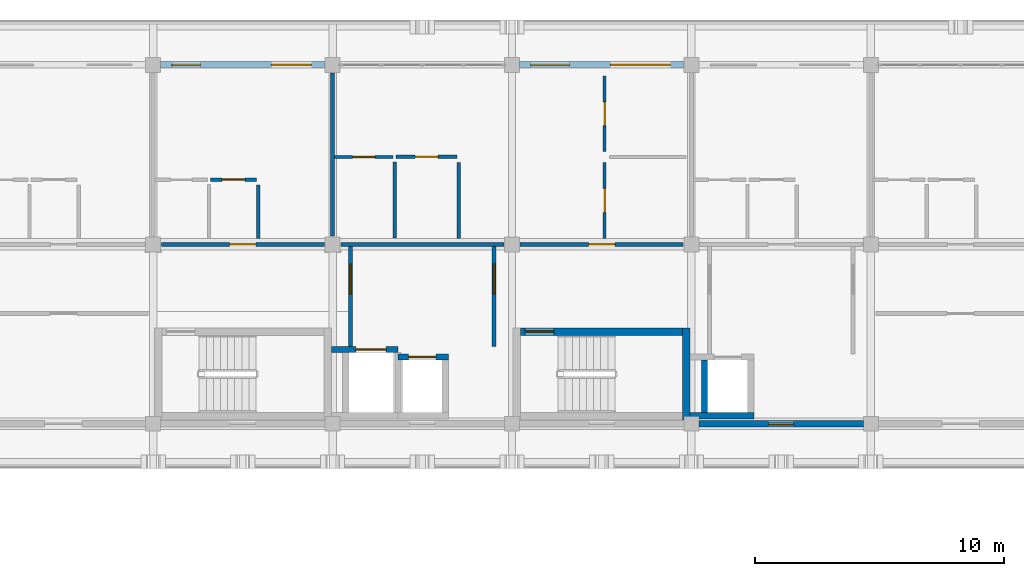
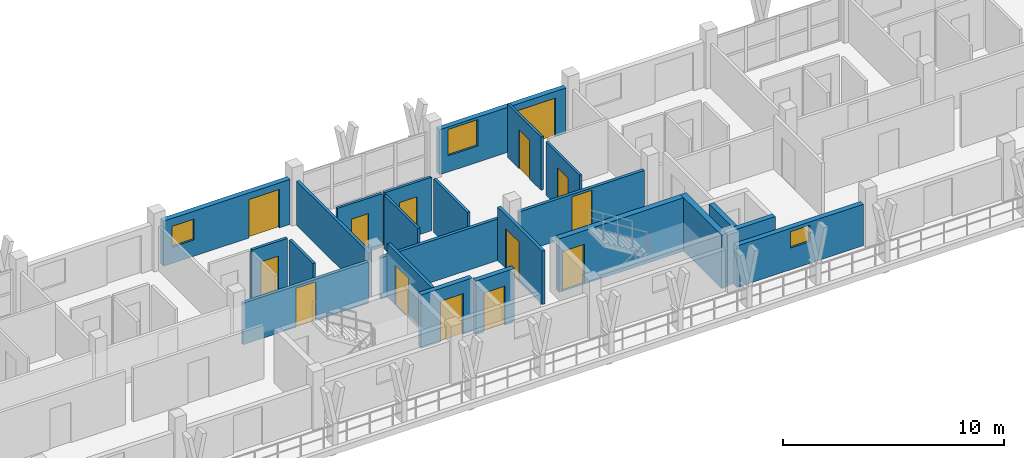
# One storey, part 40 of 65: 23 walls, 14 doors, 3 windows, 17 openings.
"""IFC4 building model written with IfcOpenShell, lengths in metres."""

from ifc_helpers import new_model, si_unit, direction, frame, frame_2d, origin, place, context, subcontext, project, spatial, rectangle, extrude, material, layer, layer_set, type_object, element, fill, save


model = new_model("IFC4")

# Units and contexts
model_context = context("Model", 3, precision=1e-05, world=origin(), true_north=direction((0.0, 1.0)))
body_context = subcontext(model_context, "Body", "Model", "MODEL_VIEW")
ifc_project = project(units=[si_unit("LENGTHUNIT", "METRE"), si_unit("AREAUNIT", "SQUARE_METRE"), si_unit("VOLUMEUNIT", "CUBIC_METRE"), si_unit("PLANEANGLEUNIT", "RADIAN"), si_unit("MASSUNIT", "GRAM", prefix="KILO")], contexts=[model_context])

# Site, building, storey
site_placement = place(None, origin())
site = spatial("IfcSite", under=ifc_project, at=site_placement, CompositionType="ELEMENT")
building_placement = place(site_placement, origin())
building = spatial("IfcBuilding", under=site, at=building_placement, Name="Suanplinth Sawtooth Commons", CompositionType="ELEMENT")
storey_placement = place(building_placement, frame((0.0, 0.0, 28.300048828125)))
storey = spatial("IfcBuildingStorey", under=building, at=storey_placement, Name="L08", CompositionType="ELEMENT", Elevation=28.300048828125)

# Wall, opening, door
ifc_material_1 = material(Name="Concrete C40/50", Category="concrete")
ifc_layer_1 = layer(ifc_material_1, 0.300048828125, Name="Standard RC stair and lift core wall 300mm")
ifc_layer_set_1 = layer_set([ifc_layer_1], Name="Concrete C40/50")
wall_type_1 = type_object("IfcWallType", Name="W-CR02", PredefinedType="SHEAR", material=ifc_layer_set_1)
wall_1_placement = place(storey_placement, frame((57.949951171875, 111.699951171875, 0.0), z_axis=(0.0, 0.0, 1.0), x_axis=(1.0, 0.0, 0.0)))
wall_1 = element("IfcWall", 1, at=wall_1_placement, inside=storey, type_object=wall_type_1, Name="W-L08-C-A2-STN", PredefinedType="SHEAR", context=body_context, shape_type="SweptSolid", body=[
    extrude(rectangle(XDim=6.5, YDim=0.300048828125, at=frame_2d((3.25, 0.0))), origin(), (0.0, 0.0, 1.0), 2.949951171875),
])
opening_1_placement = place(wall_1_placement, frame((0.179931640625, 0.0, 0.0)))
opening_1 = element("IfcOpeningElement", 2, at=opening_1_placement, cuts=wall_1, Name="Opening FD0122", PredefinedType="OPENING", context=body_context, shape_type="SweptSolid", body=[
    extrude(rectangle(XDim=1.14990234375, YDim=2.199951171875, at=frame_2d((0.574951171875, 1.10009765625))), frame((0.0, 0.1650390625, 0.0), z_axis=(0.0, -1.0, 0.0), x_axis=(1.0, 0.0, 0.0)), (0.0, 0.0, 1.0), 0.329833984375),
])
ifc_material_2 = material(Name="Teak hardwood fire-rated door assembly", Category="wood")
door_type_1 = type_object("IfcDoorType", Name="FD-01", OperationType="NOTDEFINED", PredefinedType="DOOR", material=ifc_material_2)
door_1_placement = place(opening_1_placement, frame((1.14990234375, 0.0, 0.0), z_axis=(0.0, 0.0, 1.0), x_axis=(-1.0, 0.0, 0.0)))
door_1 = element("IfcDoor", 3, at=door_1_placement, inside=storey, type_object=door_type_1, Name="Exit Stair Fire Door FD0122", OperationType="SINGLE_SWING_RIGHT", OverallHeight=2.199951171875, OverallWidth=1.14990234375, PredefinedType="DOOR", context=body_context, shape_type="SweptSolid", body=[
    extrude(rectangle(XDim=1.14990234375, YDim=2.199951171875, at=frame_2d((0.574951171875, 1.10009765625))), frame((0.0, 0.02490234375, 0.0), z_axis=(0.0, -1.0, 0.0), x_axis=(1.0, 0.0, 0.0)), (0.0, 0.0, 1.0), 0.050048828125),
])
fill(opening_1, door_1)

# Wall
wall_2_placement = place(storey_placement, frame((64.60009765625, 108.14990234375, 0.0), z_axis=(0.0, 0.0, 1.0), x_axis=(0.0, 1.0, 0.0)))
element("IfcWall", 4, at=wall_2_placement, inside=storey, type_object=wall_type_1, Name="W-L08-C-A2-STE", PredefinedType="SHEAR", context=body_context, shape_type="SweptSolid", body=[
    extrude(rectangle(XDim=3.7001953125, YDim=0.300048828125, at=frame_2d((1.85009765625, 0.0))), origin(), (0.0, 0.0, 1.0), 2.949951171875),
])

# Wall, openings, door, window
ifc_material_3 = material(Name="Precast concrete C40/50", Category="concrete")
ifc_layer_2 = layer(ifc_material_3, 0.260009765625, Name="Insulated precast courtyard facade wall 260mm")
ifc_layer_set_2 = layer_set([ifc_layer_2], Name="Precast concrete C40/50")
wall_type_2 = type_object("IfcWallType", Name="W-EX02", PredefinedType="ELEMENTEDWALL", material=ifc_layer_set_2)
wall_3_placement = place(storey_placement, frame((43.5, 122.39990234375, 0.0), z_axis=(0.0, 0.0, 1.0), x_axis=(1.0, 0.0, 0.0)))
wall_3 = element("IfcWall", 5, at=wall_3_placement, inside=storey, type_object=wall_type_2, Name="Facade Wall W-L08-A-N-4", PredefinedType="ELEMENTEDWALL", context=body_context, shape_type="SweptSolid", body=[
    extrude(rectangle(XDim=6.60009765625, YDim=0.260009765625, at=frame_2d((3.300048828125, 0.0))), origin(), (0.0, 0.0, 1.0), 2.48486328125),
])
opening_2_placement = place(wall_3_placement, frame((4.449951171875, 0.0, 0.0)))
opening_2 = element("IfcOpeningElement", 6, at=opening_2_placement, cuts=wall_3, Name="Opening ED0630", PredefinedType="OPENING", context=body_context, shape_type="SweptSolid", body=[
    extrude(rectangle(XDim=1.60009765625, YDim=2.1201171875, at=frame_2d((0.800048828125, 1.06005859375))), frame((0.0, 0.14501953125, 0.0), z_axis=(0.0, -1.0, 0.0), x_axis=(1.0, 0.0, 0.0)), (0.0, 0.0, 1.0), 0.289794921875),
])
opening_3_placement = place(wall_3_placement, frame((0.449951171875, 0.0, 0.89990234375)))
opening_3 = element("IfcOpeningElement", 7, at=opening_3_placement, cuts=wall_3, Name="Opening W0709", PredefinedType="OPENING", context=body_context, shape_type="SweptSolid", body=[
    extrude(rectangle(XDim=1.14990234375, YDim=1.14990234375, at=frame_2d((0.574951171875, 0.574951171875))), frame((0.0, 0.14501953125, 0.0), z_axis=(0.0, -1.0, 0.0), x_axis=(1.0, 0.0, 0.0)), (0.0, 0.0, 1.0), 0.289794921875),
])
ifc_material_4 = material(Name="Anodized aluminium and low-E glass", Category="aluminium")
door_type_2 = type_object("IfcDoorType", Name="SD-02", OperationType="SLIDING_TO_RIGHT", PredefinedType="DOOR", material=ifc_material_4)
door_2_placement = place(opening_2_placement, frame((1.60009765625, 0.0, 0.0), z_axis=(0.0, 0.0, 1.0), x_axis=(-1.0, 0.0, 0.0)))
door_2 = element("IfcDoor", 8, at=door_2_placement, inside=storey, type_object=door_type_2, Name="Balcony Sliding Door L08-A-N-4", OperationType="SLIDING_TO_RIGHT", OverallHeight=2.1201171875, OverallWidth=1.60009765625, PredefinedType="DOOR", context=body_context, shape_type="SweptSolid", body=[
    extrude(rectangle(XDim=1.60009765625, YDim=2.1201171875, at=frame_2d((0.800048828125, 1.06005859375))), frame((0.0, 0.02490234375, 0.0), z_axis=(0.0, -1.0, 0.0), x_axis=(1.0, 0.0, 0.0)), (0.0, 0.0, 1.0), 0.050048828125),
])
fill(opening_2, door_2)
ifc_material_5 = material(Name="Thermally broken aluminium and low-E double glazing", Category="aluminium")
window_type_1 = type_object("IfcWindowType", Name="WN-20", PartitioningType="SINGLE_PANEL", PredefinedType="WINDOW", material=ifc_material_5)
window_1_placement = place(opening_3_placement, origin())
window_1 = element("IfcWindow", 9, at=window_1_placement, inside=storey, type_object=window_type_1, Name="Window L08-A-N-4", OverallHeight=1.14990234375, OverallWidth=1.14990234375, PartitioningType="SINGLE_PANEL", PredefinedType="WINDOW", context=body_context, shape_type="SweptSolid", body=[
    extrude(rectangle(XDim=1.14990234375, YDim=1.14990234375, at=frame_2d((0.574951171875, 0.574951171875))), frame((0.0, 0.030029296875, 0.0), z_axis=(0.0, -1.0, 0.0), x_axis=(1.0, 0.0, 0.0)), (0.0, 0.0, 1.0), 0.06005859375),
])
fill(opening_3, window_1)

wall_4_placement = place(storey_placement, frame((57.89990234375, 122.39990234375, 0.0), z_axis=(0.0, 0.0, 1.0), x_axis=(1.0, 0.0, 0.0)))
wall_4 = element("IfcWall", 10, at=wall_4_placement, inside=storey, type_object=wall_type_2, Name="Facade Wall W-L08-A-N-6", PredefinedType="ELEMENTEDWALL", context=body_context, shape_type="SweptSolid", body=[
    extrude(rectangle(XDim=6.60009765625, YDim=0.260009765625, at=frame_2d((3.300048828125, 0.0))), origin(), (0.0, 0.0, 1.0), 2.48486328125),
])
opening_4_placement = place(wall_4_placement, frame((3.64990234375, 0.0, 0.0)))
opening_4 = element("IfcOpeningElement", 11, at=opening_4_placement, cuts=wall_4, Name="Opening ED0631", PredefinedType="OPENING", context=body_context, shape_type="SweptSolid", body=[
    extrude(rectangle(XDim=2.39990234375, YDim=2.1201171875, at=frame_2d((1.199951171875, 1.06005859375))), frame((0.0, 0.14501953125, 0.0), z_axis=(0.0, -1.0, 0.0), x_axis=(1.0, 0.0, 0.0)), (0.0, 0.0, 1.0), 0.289794921875),
])
opening_5_placement = place(wall_4_placement, frame((0.449951171875, 0.0, 0.89990234375)))
opening_5 = element("IfcOpeningElement", 12, at=opening_5_placement, cuts=wall_4, Name="Opening W0712", PredefinedType="OPENING", context=body_context, shape_type="SweptSolid", body=[
    extrude(rectangle(XDim=1.550048828125, YDim=1.449951171875, at=frame_2d((0.77490234375, 0.72509765625))), frame((0.0, 0.14501953125, 0.0), z_axis=(0.0, -1.0, 0.0), x_axis=(1.0, 0.0, 0.0)), (0.0, 0.0, 1.0), 0.289794921875),
])
door_type_3 = type_object("IfcDoorType", Name="SD-04", OperationType="DOUBLE_DOOR_SLIDING", PredefinedType="DOOR", material=ifc_material_4)
door_3_placement = place(opening_4_placement, frame((2.39990234375, 0.0, 0.0), z_axis=(0.0, 0.0, 1.0), x_axis=(-1.0, 0.0, 0.0)))
door_3 = element("IfcDoor", 13, at=door_3_placement, inside=storey, type_object=door_type_3, Name="Balcony Sliding Door L08-A-N-6", OperationType="DOUBLE_DOOR_SLIDING", OverallHeight=2.1201171875, OverallWidth=2.39990234375, PredefinedType="DOOR", context=body_context, shape_type="SweptSolid", body=[
    extrude(rectangle(XDim=2.39990234375, YDim=2.1201171875, at=frame_2d((1.199951171875, 1.06005859375))), frame((0.0, 0.02490234375, 0.0), z_axis=(0.0, -1.0, 0.0), x_axis=(1.0, 0.0, 0.0)), (0.0, 0.0, 1.0), 0.050048828125),
])
fill(opening_4, door_3)
window_type_2 = type_object("IfcWindowType", Name="WN-22", PartitioningType="DOUBLE_PANEL_VERTICAL", PredefinedType="WINDOW", material=ifc_material_5)
window_2_placement = place(opening_5_placement, origin())
window_2 = element("IfcWindow", 14, at=window_2_placement, inside=storey, type_object=window_type_2, Name="Window L08-A-N-6", OverallHeight=1.449951171875, OverallWidth=1.550048828125, PartitioningType="DOUBLE_PANEL_VERTICAL", PredefinedType="WINDOW", context=body_context, shape_type="SweptSolid", body=[
    extrude(rectangle(XDim=1.550048828125, YDim=1.449951171875, at=frame_2d((0.77490234375, 0.72509765625))), frame((0.0, 0.030029296875, 0.0), z_axis=(0.0, -1.0, 0.0), x_axis=(1.0, 0.0, 0.0)), (0.0, 0.0, 1.0), 0.06005859375),
])
fill(opening_5, window_2)

# Wall, opening, window
wall_5_placement = place(storey_placement, frame((65.10009765625, 108.0, 0.0), z_axis=(0.0, 0.0, 1.0), x_axis=(1.0, 0.0, 0.0)))
wall_5 = element("IfcWall", 15, at=wall_5_placement, inside=storey, type_object=wall_type_2, Name="Courtyard Wall W-L08-A-S-7", PredefinedType="ELEMENTEDWALL", context=body_context, shape_type="SweptSolid", body=[
    extrude(rectangle(XDim=6.599853515625, YDim=0.260009765625, at=frame_2d((3.2998046875, 0.0))), origin(), (0.0, 0.0, 1.0), 2.284912109375),
])
opening_6_placement = place(wall_5_placement, frame((2.800048828125, 0.0, 1.199951171875)))
opening_6 = element("IfcOpeningElement", 16, at=opening_6_placement, cuts=wall_5, Name="Opening W0715", PredefinedType="OPENING", context=body_context, shape_type="SweptSolid", body=[
    extrude(rectangle(XDim=1.0, YDim=0.89990234375, at=frame_2d((0.5, 0.449951171875))), frame((0.0, 0.14501953125, 0.0), z_axis=(0.0, -1.0, 0.0), x_axis=(1.0, 0.0, 0.0)), (0.0, 0.0, 1.0), 0.289794921875),
])
window_type_3 = type_object("IfcWindowType", Name="WN-12", PartitioningType="SINGLE_PANEL", PredefinedType="WINDOW", material=ifc_material_5)
window_3_placement = place(opening_6_placement, origin())
window_3 = element("IfcWindow", 17, at=window_3_placement, inside=storey, type_object=window_type_3, Name="Core Daylight Window L08-A-7", OverallHeight=0.89990234375, OverallWidth=1.0, PartitioningType="SINGLE_PANEL", PredefinedType="WINDOW", context=body_context, shape_type="SweptSolid", body=[
    extrude(rectangle(XDim=1.0, YDim=0.89990234375, at=frame_2d((0.5, 0.449951171875))), frame((0.0, 0.030029296875, 0.0), z_axis=(0.0, -1.0, 0.0), x_axis=(1.0, 0.0, 0.0)), (0.0, 0.0, 1.0), 0.06005859375),
])
fill(opening_6, window_3)

# Wall, opening, door
ifc_layer_3 = layer(ifc_material_3, 0.159912109375, Name="Fire-rated corridor and lobby wall 160mm")
ifc_layer_set_3 = layer_set([ifc_layer_3], Name="Precast concrete C40/50")
wall_type_3 = type_object("IfcWallType", Name="W-FW01", PredefinedType="PARTITIONING", material=ifc_layer_set_3)
wall_6_placement = place(storey_placement, frame((51.1201171875, 111.10009765625, 0.0), z_axis=(0.0, 0.0, 1.0), x_axis=(0.0, 1.0, 0.0)))
wall_6 = element("IfcWall", 18, at=wall_6_placement, inside=storey, type_object=wall_type_3, Name="W-L08-C-A1-LOB-W", PredefinedType="PARTITIONING", context=body_context, shape_type="SweptSolid", body=[
    extrude(rectangle(XDim=4.02001953125, YDim=0.159912109375, at=frame_2d((2.010009765625, 0.0))), origin(), (0.0, 0.0, 1.0), 2.949951171875),
])
opening_7_placement = place(wall_6_placement, frame((2.10009765625, 0.0, 0.0)))
opening_7 = element("IfcOpeningElement", 19, at=opening_7_placement, cuts=wall_6, Name="Opening FD0047", PredefinedType="OPENING", context=body_context, shape_type="SweptSolid", body=[
    extrude(rectangle(XDim=1.199951171875, YDim=2.199951171875, at=frame_2d((0.60009765625, 1.10009765625))), frame((0.0, 0.0947265625, 0.0), z_axis=(0.0, -1.0, 0.0), x_axis=(1.0, 0.0, 0.0)), (0.0, 0.0, 1.0), 0.189697265625),
])
door_type_4 = type_object("IfcDoorType", Name="FD-02", OperationType="NOTDEFINED", PredefinedType="DOOR", material=ifc_material_2)
door_4_placement = place(opening_7_placement, origin())
door_4 = element("IfcDoor", 20, at=door_4_placement, inside=storey, type_object=door_type_4, Name="Lobby Fire Door FD0047", OperationType="SINGLE_SWING_RIGHT", OverallHeight=2.199951171875, OverallWidth=1.199951171875, PredefinedType="DOOR", context=body_context, shape_type="SweptSolid", body=[
    extrude(rectangle(XDim=1.199951171875, YDim=2.199951171875, at=frame_2d((0.60009765625, 1.10009765625))), frame((0.0, 0.02490234375, 0.0), z_axis=(0.0, -1.0, 0.0), x_axis=(1.0, 0.0, 0.0)), (0.0, 0.0, 1.0), 0.050048828125),
])
fill(opening_7, door_4)

wall_7_placement = place(storey_placement, frame((56.8798828125, 111.10009765625, 0.0), z_axis=(0.0, 0.0, 1.0), x_axis=(0.0, 1.0, 0.0)))
wall_7 = element("IfcWall", 21, at=wall_7_placement, inside=storey, type_object=wall_type_3, Name="W-L08-C-A1-LOB-E", PredefinedType="PARTITIONING", context=body_context, shape_type="SweptSolid", body=[
    extrude(rectangle(XDim=4.02001953125, YDim=0.159912109375, at=frame_2d((2.010009765625, 0.0))), origin(), (0.0, 0.0, 1.0), 2.949951171875),
])
opening_8_placement = place(wall_7_placement, frame((2.10009765625, 0.0, 0.0)))
opening_8 = element("IfcOpeningElement", 22, at=opening_8_placement, cuts=wall_7, Name="Opening FD0048", PredefinedType="OPENING", context=body_context, shape_type="SweptSolid", body=[
    extrude(rectangle(XDim=1.199951171875, YDim=2.199951171875, at=frame_2d((0.60009765625, 1.10009765625))), frame((0.0, 0.0947265625, 0.0), z_axis=(0.0, -1.0, 0.0), x_axis=(1.0, 0.0, 0.0)), (0.0, 0.0, 1.0), 0.189697265625),
])
door_5_placement = place(opening_8_placement, frame((1.199951171875, 0.0, 0.0), z_axis=(0.0, 0.0, 1.0), x_axis=(-1.0, 0.0, 0.0)))
door_5 = element("IfcDoor", 23, at=door_5_placement, inside=storey, type_object=door_type_4, Name="Lobby Fire Door FD0048", OperationType="SINGLE_SWING_LEFT", OverallHeight=2.199951171875, OverallWidth=1.199951171875, PredefinedType="DOOR", context=body_context, shape_type="SweptSolid", body=[
    extrude(rectangle(XDim=1.199951171875, YDim=2.199951171875, at=frame_2d((0.60009765625, 1.10009765625))), frame((0.0, 0.02490234375, 0.0), z_axis=(0.0, -1.0, 0.0), x_axis=(1.0, 0.0, 0.0)), (0.0, 0.0, 1.0), 0.050048828125),
])
fill(opening_8, door_5)

wall_8_placement = place(storey_placement, frame((43.530029296875, 115.199951171875, 0.0), z_axis=(0.0, 0.0, 1.0), x_axis=(1.0, 0.0, 0.0)))
wall_8 = element("IfcWall", 24, at=wall_8_placement, inside=storey, type_object=wall_type_3, Name="W-A-L08-U04-COR", PredefinedType="PARTITIONING", context=body_context, shape_type="SweptSolid", body=[
    extrude(rectangle(XDim=6.5400390625, YDim=0.159912109375, at=frame_2d((3.27001953125, 0.0))), origin(), (0.0, 0.0, 1.0), 2.284912109375),
])
opening_9_placement = place(wall_8_placement, frame((2.7451171875, 0.0, 0.0)))
opening_9 = element("IfcOpeningElement", 25, at=opening_9_placement, cuts=wall_8, Name="Opening FD1639", PredefinedType="OPENING", context=body_context, shape_type="SweptSolid", body=[
    extrude(rectangle(XDim=1.050048828125, YDim=2.14990234375, at=frame_2d((0.52490234375, 1.074951171875))), frame((0.0, 0.0947265625, 0.0), z_axis=(0.0, -1.0, 0.0), x_axis=(1.0, 0.0, 0.0)), (0.0, 0.0, 1.0), 0.189697265625),
])
door_type_5 = type_object("IfcDoorType", Name="FD-04", OperationType="NOTDEFINED", PredefinedType="DOOR", material=ifc_material_2)
door_6_placement = place(opening_9_placement, origin())
door_6 = element("IfcDoor", 26, at=door_6_placement, inside=storey, type_object=door_type_5, Name="Unit Entrance Door FD1639", OperationType="SINGLE_SWING_LEFT", OverallHeight=2.14990234375, OverallWidth=1.050048828125, PredefinedType="DOOR", context=body_context, shape_type="SweptSolid", body=[
    extrude(rectangle(XDim=1.050048828125, YDim=2.14990234375, at=frame_2d((0.52490234375, 1.074951171875))), frame((0.0, 0.02490234375, 0.0), z_axis=(0.0, -1.0, 0.0), x_axis=(1.0, 0.0, 0.0)), (0.0, 0.0, 1.0), 0.050048828125),
])
fill(opening_9, door_6)

# Wall
wall_9_placement = place(storey_placement, frame((50.72998046875, 115.199951171875, 0.0), z_axis=(0.0, 0.0, 1.0), x_axis=(1.0, 0.0, 0.0)))
element("IfcWall", 27, at=wall_9_placement, inside=storey, type_object=wall_type_3, Name="W-A-L08-U05-COR-S1", PredefinedType="PARTITIONING", context=body_context, shape_type="SweptSolid", body=[
    extrude(rectangle(XDim=6.5400390625, YDim=0.159912109375, at=frame_2d((3.27001953125, 0.0))), origin(), (0.0, 0.0, 1.0), 2.284912109375),
])

# Wall, opening, door
wall_10_placement = place(storey_placement, frame((57.929931640625, 115.199951171875, 0.0), z_axis=(0.0, 0.0, 1.0), x_axis=(1.0, 0.0, 0.0)))
wall_10 = element("IfcWall", 28, at=wall_10_placement, inside=storey, type_object=wall_type_3, Name="W-A-L08-U05-COR-S2", PredefinedType="PARTITIONING", context=body_context, shape_type="SweptSolid", body=[
    extrude(rectangle(XDim=6.5400390625, YDim=0.159912109375, at=frame_2d((3.27001953125, 0.0))), origin(), (0.0, 0.0, 1.0), 2.284912109375),
])
opening_10_placement = place(wall_10_placement, frame((2.7451171875, 0.0, 0.0)))
opening_10 = element("IfcOpeningElement", 29, at=opening_10_placement, cuts=wall_10, Name="Opening FD1642", PredefinedType="OPENING", context=body_context, shape_type="SweptSolid", body=[
    extrude(rectangle(XDim=1.050048828125, YDim=2.14990234375, at=frame_2d((0.52490234375, 1.074951171875))), frame((0.0, 0.0947265625, 0.0), z_axis=(0.0, -1.0, 0.0), x_axis=(1.0, 0.0, 0.0)), (0.0, 0.0, 1.0), 0.189697265625),
])
door_7_placement = place(opening_10_placement, origin())
door_7 = element("IfcDoor", 30, at=door_7_placement, inside=storey, type_object=door_type_5, Name="Unit Entrance Door FD1642", OperationType="SINGLE_SWING_RIGHT", OverallHeight=2.14990234375, OverallWidth=1.050048828125, PredefinedType="DOOR", context=body_context, shape_type="SweptSolid", body=[
    extrude(rectangle(XDim=1.050048828125, YDim=2.14990234375, at=frame_2d((0.52490234375, 1.074951171875))), frame((0.0, 0.02490234375, 0.0), z_axis=(0.0, -1.0, 0.0), x_axis=(1.0, 0.0, 0.0)), (0.0, 0.0, 1.0), 0.050048828125),
])
fill(opening_10, door_7)

# Wall
ifc_layer_4 = layer(ifc_material_3, 0.14990234375, Name="Acoustic precast party demising wall 150mm")
ifc_layer_set_4 = layer_set([ifc_layer_4], Name="Precast concrete C40/50")
wall_type_4 = type_object("IfcWallType", Name="W-FW02", PredefinedType="PARTITIONING", material=ifc_layer_set_4)
wall_11_placement = place(storey_placement, frame((50.39990234375, 115.530029296875, 0.0), z_axis=(0.0, 0.0, 1.0), x_axis=(0.0, 1.0, 0.0)))
element("IfcWall", 31, at=wall_11_placement, inside=storey, type_object=wall_type_4, Name="W-A-L08-U04-PTY", PredefinedType="PARTITIONING", context=body_context, shape_type="SweptSolid", body=[
    extrude(rectangle(XDim=6.5400390625, YDim=0.14990234375, at=frame_2d((3.27001953125, 0.0))), origin(), (0.0, 0.0, 1.0), 2.43505859375),
])

# Wall, opening, door
ifc_material_6 = material(Name="Gypsum plasterboard on steel stud", Category="steel")
ifc_layer_5 = layer(ifc_material_6, 0.139892578125, Name="Fire-rated kitchen partition 140mm")
ifc_layer_set_5 = layer_set([ifc_layer_5], Name="Gypsum plasterboard on steel stud")
wall_type_5 = type_object("IfcWallType", Name="W-PT01", PredefinedType="PARTITIONING", material=ifc_layer_set_5)
wall_12_placement = place(storey_placement, frame((45.5, 117.800048828125, 0.0), z_axis=(0.0, 0.0, 1.0), x_axis=(1.0, 0.0, 0.0)))
wall_12 = element("IfcWall", 32, at=wall_12_placement, inside=storey, type_object=wall_type_5, Name="W-A-L08-U04-KIT1", PredefinedType="PARTITIONING", context=body_context, shape_type="SweptSolid", body=[
    extrude(rectangle(XDim=1.85009765625, YDim=0.139892578125, at=frame_2d((0.925048828125, 0.0))), origin(), (0.0, 0.0, 1.0), 2.949951171875),
])
opening_11_placement = place(wall_12_placement, frame((0.4599609375, 0.0, 0.0)))
opening_11 = element("IfcOpeningElement", 33, at=opening_11_placement, cuts=wall_12, Name="Opening D1641", PredefinedType="OPENING", context=body_context, shape_type="SweptSolid", body=[
    extrude(rectangle(XDim=0.929931640625, YDim=2.139892578125, at=frame_2d((0.46484375, 1.06982421875))), frame((0.0, 0.0849609375, 0.0), z_axis=(0.0, -1.0, 0.0), x_axis=(1.0, 0.0, 0.0)), (0.0, 0.0, 1.0), 0.169677734375),
])
ifc_material_7 = material(Name="Teak hardwood", Category="wood")
door_type_6 = type_object("IfcDoorType", Name="D-19", OperationType="NOTDEFINED", PredefinedType="DOOR", material=ifc_material_7)
door_8_placement = place(opening_11_placement, frame((0.929931640625, 0.0, 0.0), z_axis=(0.0, 0.0, 1.0), x_axis=(-1.0, 0.0, 0.0)))
door_8 = element("IfcDoor", 34, at=door_8_placement, inside=storey, type_object=door_type_6, Name="Kitchen Door D1641", OperationType="SINGLE_SWING_LEFT", OverallHeight=2.139892578125, OverallWidth=0.929931640625, PredefinedType="DOOR", context=body_context, shape_type="SweptSolid", body=[
    extrude(rectangle(XDim=0.929931640625, YDim=2.139892578125, at=frame_2d((0.46484375, 1.06982421875))), frame((0.0, 0.02490234375, 0.0), z_axis=(0.0, -1.0, 0.0), x_axis=(1.0, 0.0, 0.0)), (0.0, 0.0, 1.0), 0.050048828125),
])
fill(opening_11, door_8)

# Wall
wall_13_placement = place(storey_placement, frame((47.419921875, 115.429931640625, 0.0), z_axis=(0.0, 0.0, 1.0), x_axis=(0.0, 1.0, 0.0)))
element("IfcWall", 35, at=wall_13_placement, inside=storey, type_object=wall_type_5, Name="W-A-L08-U04-KIT2", PredefinedType="PARTITIONING", context=body_context, shape_type="SweptSolid", body=[
    extrude(rectangle(XDim=2.150146484375, YDim=0.139892578125, at=frame_2d((1.0751953125, 0.0))), origin(), (0.0, 0.0, 1.0), 2.949951171875),
])

# Wall, opening, door
wall_14_placement = place(storey_placement, frame((52.949951171875, 118.7099609375, 0.0), z_axis=(0.0, 0.0, 1.0), x_axis=(1.0, 0.0, 0.0)))
wall_14 = element("IfcWall", 36, at=wall_14_placement, inside=storey, type_object=wall_type_5, Name="W-A-L08-U05-KIT1", PredefinedType="PARTITIONING", context=body_context, shape_type="SweptSolid", body=[
    extrude(rectangle(XDim=2.449951171875, YDim=0.139892578125, at=frame_2d((1.22509765625, 0.0))), origin(), (0.0, 0.0, 1.0), 2.949951171875),
])
opening_12_placement = place(wall_14_placement, frame((0.760009765625, 0.0, 0.0)))
opening_12 = element("IfcOpeningElement", 37, at=opening_12_placement, cuts=wall_14, Name="Opening D1644", PredefinedType="OPENING", context=body_context, shape_type="SweptSolid", body=[
    extrude(rectangle(XDim=0.929931640625, YDim=2.139892578125, at=frame_2d((0.46484375, 1.06982421875))), frame((0.0, 0.0849609375, 0.0), z_axis=(0.0, -1.0, 0.0), x_axis=(1.0, 0.0, 0.0)), (0.0, 0.0, 1.0), 0.169677734375),
])
door_9_placement = place(opening_12_placement, frame((0.929931640625, 0.0, 0.0), z_axis=(0.0, 0.0, 1.0), x_axis=(-1.0, 0.0, 0.0)))
door_9 = element("IfcDoor", 38, at=door_9_placement, inside=storey, type_object=door_type_6, Name="Kitchen Door D1644", OperationType="SINGLE_SWING_RIGHT", OverallHeight=2.139892578125, OverallWidth=0.929931640625, PredefinedType="DOOR", context=body_context, shape_type="SweptSolid", body=[
    extrude(rectangle(XDim=0.929931640625, YDim=2.139892578125, at=frame_2d((0.46484375, 1.06982421875))), frame((0.0, 0.02490234375, 0.0), z_axis=(0.0, -1.0, 0.0), x_axis=(1.0, 0.0, 0.0)), (0.0, 0.0, 1.0), 0.050048828125),
])
fill(opening_12, door_9)

# Wall
wall_15_placement = place(storey_placement, frame((55.469970703125, 115.429931640625, 0.0), z_axis=(0.0, 0.0, 1.0), x_axis=(0.0, 1.0, 0.0)))
element("IfcWall", 39, at=wall_15_placement, inside=storey, type_object=wall_type_5, Name="W-A-L08-U05-KIT2", PredefinedType="PARTITIONING", context=body_context, shape_type="SweptSolid", body=[
    extrude(rectangle(XDim=3.06005859375, YDim=0.139892578125, at=frame_2d((1.530029296875, 0.0))), origin(), (0.0, 0.0, 1.0), 2.949951171875),
])

# Wall, opening, door
ifc_layer_6 = layer(ifc_material_6, 0.1298828125, Name="Moisture-resistant bathroom partition 130mm")
ifc_layer_set_6 = layer_set([ifc_layer_6], Name="Gypsum plasterboard on steel stud")
wall_type_6 = type_object("IfcWallType", Name="W-PT02", PredefinedType="PARTITIONING", material=ifc_layer_set_6)
wall_16_placement = place(storey_placement, frame((50.47998046875, 118.705078125, 0.0), z_axis=(0.0, 0.0, 1.0), x_axis=(1.0, 0.0, 0.0)))
wall_16 = element("IfcWall", 40, at=wall_16_placement, inside=storey, type_object=wall_type_6, Name="W-A-L08-U05-BTH1", PredefinedType="PARTITIONING", context=body_context, shape_type="SweptSolid", body=[
    extrude(rectangle(XDim=2.35009765625, YDim=0.1298828125, at=frame_2d((1.175048828125, 0.0))), origin(), (0.0, 0.0, 1.0), 2.949951171875),
])
opening_13_placement = place(wall_16_placement, frame((0.72509765625, 0.0, 0.0)))
opening_13 = element("IfcOpeningElement", 41, at=opening_13_placement, cuts=wall_16, Name="Opening D1643", PredefinedType="OPENING", context=body_context, shape_type="SweptSolid", body=[
    extrude(rectangle(XDim=0.89990234375, YDim=2.10009765625, at=frame_2d((0.449951171875, 1.050048828125))), frame((0.0, 0.079833984375, 0.0), z_axis=(0.0, -1.0, 0.0), x_axis=(1.0, 0.0, 0.0)), (0.0, 0.0, 1.0), 0.15966796875),
])
door_type_7 = type_object("IfcDoorType", Name="D-01", OperationType="NOTDEFINED", PredefinedType="DOOR", material=ifc_material_7)
door_10_placement = place(opening_13_placement, frame((0.89990234375, 0.0, 0.0), z_axis=(0.0, 0.0, 1.0), x_axis=(-1.0, 0.0, 0.0)))
door_10 = element("IfcDoor", 42, at=door_10_placement, inside=storey, type_object=door_type_7, Name="Bathroom Door D1643", OperationType="SINGLE_SWING_LEFT", OverallHeight=2.10009765625, OverallWidth=0.89990234375, PredefinedType="DOOR", context=body_context, shape_type="SweptSolid", body=[
    extrude(rectangle(XDim=0.89990234375, YDim=2.10009765625, at=frame_2d((0.449951171875, 1.050048828125))), frame((0.0, 0.02490234375, 0.0), z_axis=(0.0, -1.0, 0.0), x_axis=(1.0, 0.0, 0.0)), (0.0, 0.0, 1.0), 0.050048828125),
])
fill(opening_13, door_10)

# Wall
wall_17_placement = place(storey_placement, frame((52.89501953125, 115.4599609375, 0.0), z_axis=(0.0, 0.0, 1.0), x_axis=(0.0, 1.0, 0.0)))
element("IfcWall", 43, at=wall_17_placement, inside=storey, type_object=wall_type_6, Name="W-A-L08-U05-BTH2", PredefinedType="PARTITIONING", context=body_context, shape_type="SweptSolid", body=[
    extrude(rectangle(XDim=3.0400390625, YDim=0.1298828125, at=frame_2d((1.52001953125, 0.0))), origin(), (0.0, 0.0, 1.0), 2.949951171875),
])

# Wall, opening, door
ifc_layer_7 = layer(ifc_material_6, 0.1201171875, Name="Acoustic bedroom partition 120mm")
ifc_layer_set_7 = layer_set([ifc_layer_7], Name="Gypsum plasterboard on steel stud")
wall_type_7 = type_object("IfcWallType", Name="W-PT03", PredefinedType="PARTITIONING", material=ifc_layer_set_7)
wall_18_placement = place(storey_placement, frame((61.320068359375, 118.919921875, 0.0), z_axis=(0.0, 0.0, 1.0), x_axis=(0.0, 1.0, 0.0)))
wall_18 = element("IfcWall", 44, at=wall_18_placement, inside=storey, type_object=wall_type_7, Name="W-A-L08-U05-BED1", PredefinedType="PARTITIONING", context=body_context, shape_type="SweptSolid", body=[
    extrude(rectangle(XDim=3.0400390625, YDim=0.1201171875, at=frame_2d((1.52001953125, 0.0))), origin(), (0.0, 0.0, 1.0), 2.949951171875),
])
opening_14_placement = place(wall_18_placement, frame((1.044921875, 0.0, 0.0)))
opening_14 = element("IfcOpeningElement", 45, at=opening_14_placement, cuts=wall_18, Name="Opening D1645", PredefinedType="OPENING", context=body_context, shape_type="SweptSolid", body=[
    extrude(rectangle(XDim=0.949951171875, YDim=2.14990234375, at=frame_2d((0.47509765625, 1.074951171875))), frame((0.0, 0.074951171875, 0.0), z_axis=(0.0, -1.0, 0.0), x_axis=(1.0, 0.0, 0.0)), (0.0, 0.0, 1.0), 0.14990234375),
])
door_type_8 = type_object("IfcDoorType", Name="D-03", OperationType="NOTDEFINED", PredefinedType="DOOR", material=ifc_material_7)
door_11_placement = place(opening_14_placement, frame((0.949951171875, 0.0, 0.0), z_axis=(0.0, 0.0, 1.0), x_axis=(-1.0, 0.0, 0.0)))
door_11 = element("IfcDoor", 46, at=door_11_placement, inside=storey, type_object=door_type_8, Name="Bedroom Door D1645", OperationType="SINGLE_SWING_LEFT", OverallHeight=2.14990234375, OverallWidth=0.949951171875, PredefinedType="DOOR", context=body_context, shape_type="SweptSolid", body=[
    extrude(rectangle(XDim=0.949951171875, YDim=2.14990234375, at=frame_2d((0.47509765625, 1.074951171875))), frame((0.0, 0.02490234375, 0.0), z_axis=(0.0, -1.0, 0.0), x_axis=(1.0, 0.0, 0.0)), (0.0, 0.0, 1.0), 0.050048828125),
])
fill(opening_14, door_11)

wall_19_placement = place(storey_placement, frame((61.320068359375, 115.43994140625, 0.0), z_axis=(0.0, 0.0, 1.0), x_axis=(0.0, 1.0, 0.0)))
wall_19 = element("IfcWall", 47, at=wall_19_placement, inside=storey, type_object=wall_type_7, Name="W-A-L08-U05-BED2", PredefinedType="PARTITIONING", context=body_context, shape_type="SweptSolid", body=[
    extrude(rectangle(XDim=3.0400390625, YDim=0.1201171875, at=frame_2d((1.52001953125, 0.0))), origin(), (0.0, 0.0, 1.0), 2.949951171875),
])
opening_15_placement = place(wall_19_placement, frame((1.0400390625, 0.0, 0.0)))
opening_15 = element("IfcOpeningElement", 48, at=opening_15_placement, cuts=wall_19, Name="Opening D1646", PredefinedType="OPENING", context=body_context, shape_type="SweptSolid", body=[
    extrude(rectangle(XDim=0.9599609375, YDim=2.14990234375, at=frame_2d((0.47998046875, 1.074951171875))), frame((0.0, 0.074951171875, 0.0), z_axis=(0.0, -1.0, 0.0), x_axis=(1.0, 0.0, 0.0)), (0.0, 0.0, 1.0), 0.14990234375),
])
door_type_9 = type_object("IfcDoorType", Name="D-13", OperationType="NOTDEFINED", PredefinedType="DOOR", material=ifc_material_7)
door_12_placement = place(opening_15_placement, frame((0.9599609375, 0.0, 0.0), z_axis=(0.0, 0.0, 1.0), x_axis=(-1.0, 0.0, 0.0)))
door_12 = element("IfcDoor", 49, at=door_12_placement, inside=storey, type_object=door_type_9, Name="Second Bedroom Door D1646", OperationType="SINGLE_SWING_RIGHT", OverallHeight=2.14990234375, OverallWidth=0.9599609375, PredefinedType="DOOR", context=body_context, shape_type="SweptSolid", body=[
    extrude(rectangle(XDim=0.9599609375, YDim=2.14990234375, at=frame_2d((0.47998046875, 1.074951171875))), frame((0.0, 0.02490234375, 0.0), z_axis=(0.0, -1.0, 0.0), x_axis=(1.0, 0.0, 0.0)), (0.0, 0.0, 1.0), 0.050048828125),
])
fill(opening_15, door_12)

ifc_layer_8 = layer(ifc_material_3, 0.25, Name="Precast structural shear wall 250mm")
ifc_layer_set_8 = layer_set([ifc_layer_8], Name="Precast concrete C40/50")
wall_type_8 = type_object("IfcWallType", Name="W-SH01", PredefinedType="SHEAR", material=ifc_layer_set_8)
wall_20_placement = place(storey_placement, frame((50.35009765625, 110.97509765625, 0.0), z_axis=(0.0, 0.0, 1.0), x_axis=(1.0, 0.0, 0.0)))
wall_20 = element("IfcWall", 50, at=wall_20_placement, inside=storey, type_object=wall_type_8, Name="W-L08-FL1-N", PredefinedType="SHEAR", context=body_context, shape_type="SweptSolid", body=[
    extrude(rectangle(XDim=2.6748046875, YDim=0.25, at=frame_2d((1.33740234375, 0.0))), origin(), (0.0, 0.0, 1.0), 2.949951171875),
])
opening_16_placement = place(wall_20_placement, frame((1.0, 0.0, 0.0)))
opening_16 = element("IfcOpeningElement", 51, at=opening_16_placement, cuts=wall_20, Name="Opening LD0049", PredefinedType="OPENING", context=body_context, shape_type="SweptSolid", body=[
    extrude(rectangle(XDim=1.199951171875, YDim=2.25, at=frame_2d((0.60009765625, 1.125))), frame((0.0, 0.139892578125, 0.0), z_axis=(0.0, -1.0, 0.0), x_axis=(1.0, 0.0, 0.0)), (0.0, 0.0, 1.0), 0.27978515625),
])
ifc_material_8 = material(Name="Stainless steel Grade 304", Category="steel")
door_type_10 = type_object("IfcDoorType", Name="LD-02", OperationType="SLIDING_TO_LEFT", PredefinedType="DOOR", material=ifc_material_8)
door_13_placement = place(opening_16_placement, origin())
door_13 = element("IfcDoor", 52, at=door_13_placement, inside=storey, type_object=door_type_10, Name="Lift Landing Sliding Door FL1 L08", OperationType="SLIDING_TO_LEFT", OverallHeight=2.25, OverallWidth=1.199951171875, PredefinedType="DOOR", context=body_context, shape_type="SweptSolid", body=[
    extrude(rectangle(XDim=1.199951171875, YDim=2.25, at=frame_2d((0.60009765625, 1.125))), frame((0.0, 0.02490234375, 0.0), z_axis=(0.0, -1.0, 0.0), x_axis=(1.0, 0.0, 0.0)), (0.0, 0.0, 1.0), 0.050048828125),
])
fill(opening_16, door_13)

wall_21_placement = place(storey_placement, frame((53.02490234375, 110.675048828125, 0.0), z_axis=(0.0, 0.0, 1.0), x_axis=(1.0, 0.0, 0.0)))
wall_21 = element("IfcWall", 53, at=wall_21_placement, inside=storey, type_object=wall_type_8, Name="W-L08-LF1-N", PredefinedType="SHEAR", context=body_context, shape_type="SweptSolid", body=[
    extrude(rectangle(XDim=2.025146484375, YDim=0.25, at=frame_2d((1.0126953125, 0.0))), origin(), (0.0, 0.0, 1.0), 2.949951171875),
])
opening_17_placement = place(wall_21_placement, frame((0.425048828125, 0.0, 0.0)))
opening_17 = element("IfcOpeningElement", 54, at=opening_17_placement, cuts=wall_21, Name="Opening LD0050", PredefinedType="OPENING", context=body_context, shape_type="SweptSolid", body=[
    extrude(rectangle(XDim=1.10009765625, YDim=2.14990234375, at=frame_2d((0.550048828125, 1.074951171875))), frame((0.0, 0.139892578125, 0.0), z_axis=(0.0, -1.0, 0.0), x_axis=(1.0, 0.0, 0.0)), (0.0, 0.0, 1.0), 0.27978515625),
])
door_type_11 = type_object("IfcDoorType", Name="LD-01", OperationType="SLIDING_TO_LEFT", PredefinedType="DOOR", material=ifc_material_8)
door_14_placement = place(opening_17_placement, origin())
door_14 = element("IfcDoor", 55, at=door_14_placement, inside=storey, type_object=door_type_11, Name="Lift Landing Sliding Door LF1 L08", OperationType="SLIDING_TO_LEFT", OverallHeight=2.14990234375, OverallWidth=1.10009765625, PredefinedType="DOOR", context=body_context, shape_type="SweptSolid", body=[
    extrude(rectangle(XDim=1.10009765625, YDim=2.14990234375, at=frame_2d((0.550048828125, 1.074951171875))), frame((0.0, 0.02490234375, 0.0), z_axis=(0.0, -1.0, 0.0), x_axis=(1.0, 0.0, 0.0)), (0.0, 0.0, 1.0), 0.050048828125),
])
fill(opening_17, door_14)

# Walls
wall_22_placement = place(storey_placement, frame((64.75, 108.324951171875, 0.0), z_axis=(0.0, 0.0, 1.0), x_axis=(1.0, 0.0, 0.0)))
element("IfcWall", 56, at=wall_22_placement, inside=storey, type_object=wall_type_8, Name="W-L08-LF2-S", PredefinedType="SHEAR", context=body_context, shape_type="SweptSolid", body=[
    extrude(rectangle(XDim=2.550048828125, YDim=0.25, at=frame_2d((1.27490234375, 0.0))), origin(), (0.0, 0.0, 1.0), 2.949951171875),
])
wall_23_placement = place(storey_placement, frame((65.324951171875, 108.449951171875, 0.0), z_axis=(0.0, 0.0, 1.0), x_axis=(0.0, 1.0, 0.0)))
element("IfcWall", 57, at=wall_23_placement, inside=storey, type_object=wall_type_8, Name="W-L08-LF2-W", PredefinedType="SHEAR", context=body_context, shape_type="SweptSolid", body=[
    extrude(rectangle(XDim=2.10009765625, YDim=0.25, at=frame_2d((1.050048828125, 0.0))), origin(), (0.0, 0.0, 1.0), 2.949951171875),
])

save(model, "model.ifc")
